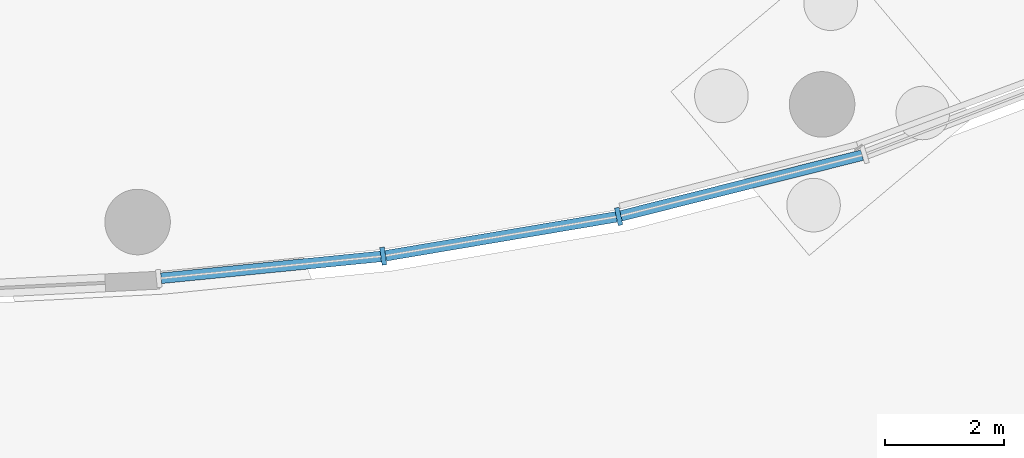
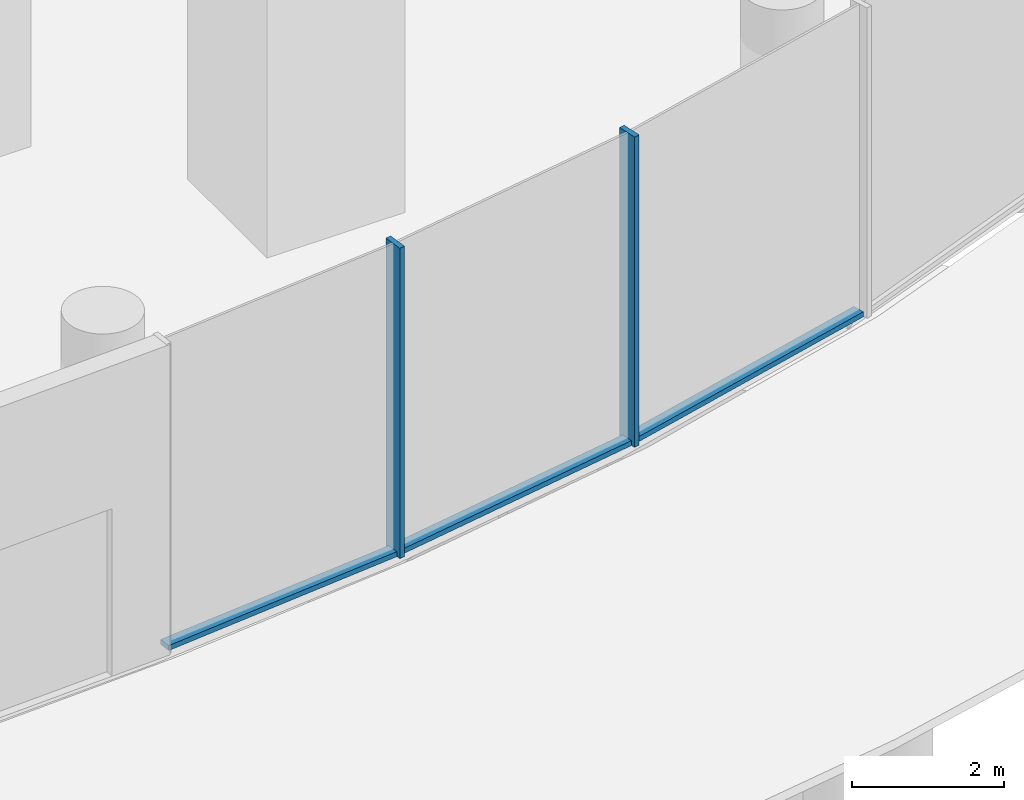
# One storey, part 4 of 29: 5 members, 1 element without a shape of its own.
"""IFC4 building model written with IfcOpenShell, lengths in metres."""

from ifc_helpers import new_model, si_unit, direction, frame, origin, origin_2d, place, context, subcontext, project, spatial, rectangle, extrude, material, material_profile, profile_set, type_object, element, aggregate, save


model = new_model("IFC4")

# Units and contexts
model_context = context("Model", 3, precision=1e-05, world=origin(), true_north=direction((0.0, 1.0)))
body_context = subcontext(model_context, "Body", "Model", "MODEL_VIEW")
ifc_project = project(units=[si_unit("LENGTHUNIT", "METRE"), si_unit("AREAUNIT", "SQUARE_METRE"), si_unit("VOLUMEUNIT", "CUBIC_METRE"), si_unit("PLANEANGLEUNIT", "RADIAN"), si_unit("MASSUNIT", "GRAM", prefix="KILO")], contexts=[model_context])

# Site, building, storey
site_placement = place(None, origin())
site = spatial("IfcSite", under=ifc_project, at=site_placement, CompositionType="ELEMENT")
building_placement = place(site_placement, origin())
building = spatial("IfcBuilding", under=site, at=building_placement, Name="Ghaith Harvest Tower", CompositionType="ELEMENT")
storey_placement = place(building_placement, origin())
storey = spatial("IfcBuildingStorey", under=building, at=storey_placement, Name="L00", CompositionType="ELEMENT", Elevation=0.0)

# Curtain wall, members
ifc_material_1 = material(Name="Black anodised aluminium and fritted glass", Category="aluminium")
curtain_wall_type = type_object("IfcCurtainWallType", Name="CW-P CURTAIN WALL", PredefinedType="NOTDEFINED", material=ifc_material_1)
curtain_wall_placement = place(storey_placement, origin())
curtain_wall = element("IfcCurtainWall", 1, at=curtain_wall_placement, inside=storey, type_object=curtain_wall_type, Name="Curtain wall CW-P bay 17 L00", PredefinedType="NOTDEFINED")
ifc_material_2 = material(Name="Aluminium, black anodised", Category="aluminium")
ifc_material_profile_1 = material_profile(ifc_material_2, rectangle(XDim=0.080078125, YDim=0.300048828125, at=origin_2d()), Name="CW-P MULLION 80x300")
ifc_profile_set_1 = profile_set([ifc_material_profile_1], Name="Aluminium, black anodised")
member_type_1 = type_object("IfcMemberType", Name="CW-P MULLION 80x300", PredefinedType="MULLION", material=ifc_profile_set_1)
member_1_placement = place(storey_placement, frame((14.600830078125, -28.60009765625, 0.0), z_axis=(0.0, 0.0, 1.0), x_axis=(0.991022283868, 0.133696794569, 0.0)))
member_1 = element("IfcMember", 2, at=member_1_placement, type_object=member_type_1, Name="CW-P mullion 2 bay 17 L00", PredefinedType="MULLION", context=body_context, shape_type="SweptSolid", body=[
    extrude(rectangle(XDim=0.080078125, YDim=0.300048828125, at=origin_2d()), origin(), (0.0, 0.0, 1.0), 5.0),
])
member_2_placement = place(storey_placement, frame((18.553466796875, -27.933349609375, 0.0), z_axis=(0.0, 0.0, 1.0), x_axis=(0.978448790114, 0.206489624736, 0.0)))
member_2 = element("IfcMember", 3, at=member_2_placement, type_object=member_type_1, Name="CW-P mullion 3 bay 17 L00", PredefinedType="MULLION", context=body_context, shape_type="SweptSolid", body=[
    extrude(rectangle(XDim=0.080078125, YDim=0.300048828125, at=origin_2d()), origin(), (0.0, 0.0, 1.0), 5.0),
])
ifc_material_3 = material(Name="Aluminium, black anodised", Category="aluminium")
ifc_material_profile_2 = material_profile(ifc_material_3, rectangle(XDim=0.179931640625, YDim=0.080078125, at=origin_2d()), Name="CW-P TRANSOM 180x80")
ifc_profile_set_2 = profile_set([ifc_material_profile_2], Name="Aluminium, black anodised")
member_type_2 = type_object("IfcMemberType", Name="CW-P TRANSOM 180x80", PredefinedType="USERDEFINED", material=ifc_profile_set_2)
member_3_placement = place(storey_placement, frame((10.87158203125, -28.970947265625, 0.0400390625), z_axis=(0.995096989908, 0.098903896165, 0.0), x_axis=(-0.098903896165, 0.995096989908, 0.0)))
member_3 = element("IfcMember", 4, at=member_3_placement, type_object=member_type_2, Name="CW-P transom 1 bay 17 L00", ObjectType="TRANSOM", PredefinedType="USERDEFINED", context=body_context, shape_type="SweptSolid", body=[
    extrude(rectangle(XDim=0.179931640625, YDim=0.080078125, at=origin_2d()), origin(), (0.0, 0.0, 1.0), 3.70751953125),
])
member_4_placement = place(storey_placement, frame((14.640380859375, -28.593505859375, 0.0400390625), z_axis=(0.986064442121, 0.166363806111, 0.0), x_axis=(-0.166363806111, 0.986064442121, 0.0)))
member_4 = element("IfcMember", 5, at=member_4_placement, type_object=member_type_2, Name="CW-P transom 2 bay 17 L00", ObjectType="TRANSOM", PredefinedType="USERDEFINED", context=body_context, shape_type="SweptSolid", body=[
    extrude(rectangle(XDim=0.179931640625, YDim=0.080078125, at=origin_2d()), origin(), (0.0, 0.0, 1.0), 3.928466796875),
])
member_5_placement = place(storey_placement, frame((18.59228515625, -27.923583984375, 0.0400390625), z_axis=(0.969783702734, 0.243966329463, 0.0), x_axis=(-0.243966329463, 0.969783702734, 0.0)))
member_5 = element("IfcMember", 6, at=member_5_placement, type_object=member_type_2, Name="CW-P transom 3 bay 17 L00", ObjectType="TRANSOM", PredefinedType="USERDEFINED", context=body_context, shape_type="SweptSolid", body=[
    extrude(rectangle(XDim=0.179931640625, YDim=0.080078125, at=origin_2d()), origin(), (0.0, 0.0, 1.0), 4.175048828125),
])
aggregate(curtain_wall, [member_3, member_1, member_4, member_2, member_5])

save(model, "model.ifc")
